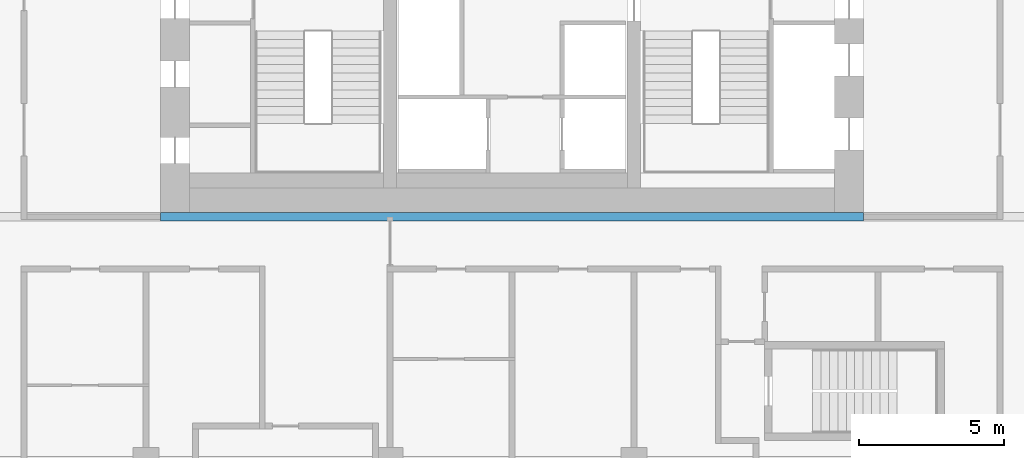
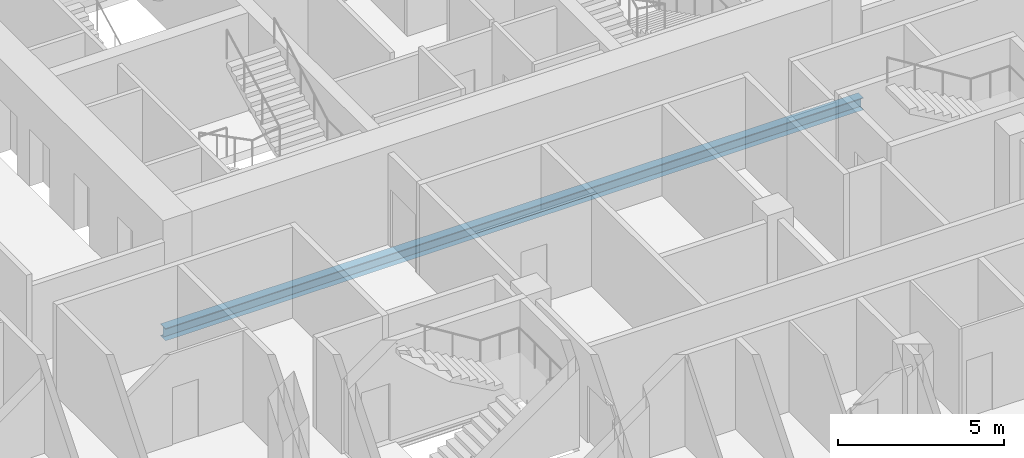
# One storey, part 5 of 23: 1 beam.
"""IFC4 building model written with IfcOpenShell, lengths in metres."""

from ifc_helpers import new_model, si_unit, direction, frame, origin, origin_2d, place, context, subcontext, project, spatial, i_section, extrude, material, material_profile, profile_set, type_object, element, save


model = new_model("IFC4")

# Units and contexts
model_context = context("Model", 3, precision=1e-05, world=origin(), true_north=direction((0.0, 1.0)))
body_context = subcontext(model_context, "Body", "Model", "MODEL_VIEW")
ifc_project = project(units=[si_unit("LENGTHUNIT", "METRE"), si_unit("AREAUNIT", "SQUARE_METRE"), si_unit("VOLUMEUNIT", "CUBIC_METRE"), si_unit("PLANEANGLEUNIT", "RADIAN"), si_unit("MASSUNIT", "GRAM", prefix="KILO")], contexts=[model_context])

# Site, building, storey
site_placement = place(None, origin())
site = spatial("IfcSite", under=ifc_project, at=site_placement, CompositionType="ELEMENT")
building_placement = place(site_placement, origin())
building = spatial("IfcBuilding", under=site, at=building_placement, Name="Marenta Gate Hotel Tower", CompositionType="ELEMENT")
storey_placement = place(building_placement, frame((0.0, 0.0, 140.89990234375)))
storey = spatial("IfcBuildingStorey", under=building, at=storey_placement, Name="L32", CompositionType="ELEMENT", Elevation=140.89990234375)

# Beam
ifc_material = material(Name="Steel S355", Category="steel")
ifc_material_profile = material_profile(ifc_material, i_section(OverallWidth=0.300048828125, OverallDepth=0.449951171875, WebThickness=0.013916015625, FlangeThickness=0.02587890625, FilletRadius=0.027099609375, at=origin_2d()), Name="HEB 450")
ifc_profile_set = profile_set([ifc_material_profile], Name="Steel S355")
beam_type = type_object("IfcBeamType", Name="Girder HEB 450", PredefinedType="BEAM", material=ifc_profile_set)
beam_placement = place(storey_placement, frame((-12.10009765625, 0.0, -0.48486328125), z_axis=(1.0, 0.0, 0.0), x_axis=(0.0, 1.0, 0.0)))
element("IfcBeam", 1, at=beam_placement, inside=storey, type_object=beam_type, Name="L32-GD-17", PredefinedType="BEAM", context=body_context, shape_type="SweptSolid", body=[
    extrude(i_section(OverallWidth=0.300048828125, OverallDepth=0.449951171875, WebThickness=0.013916015625, FlangeThickness=0.02587890625, FilletRadius=0.027099609375, at=origin_2d()), origin(), (0.0, 0.0, 1.0), 24.2001953125),
])

save(model, "model.ifc")
